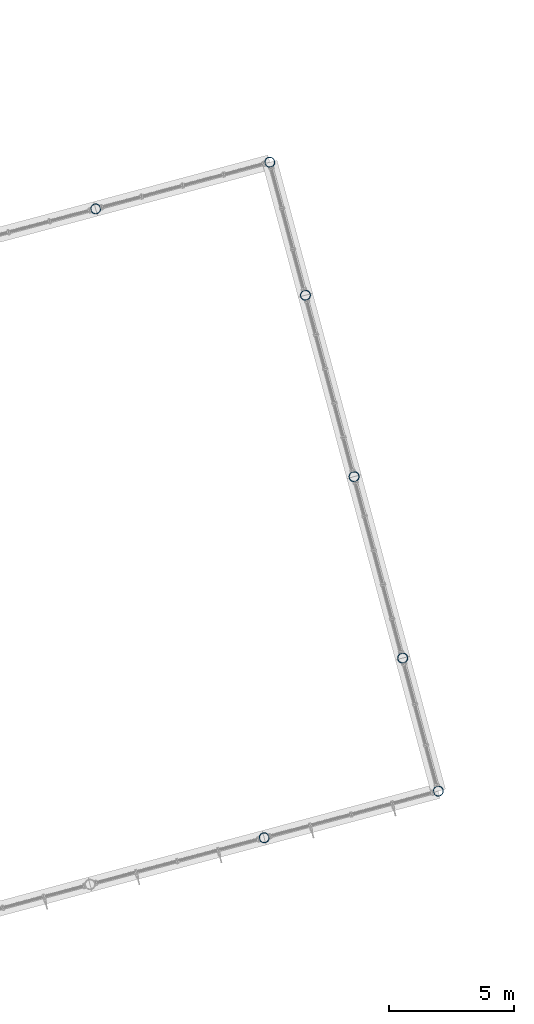
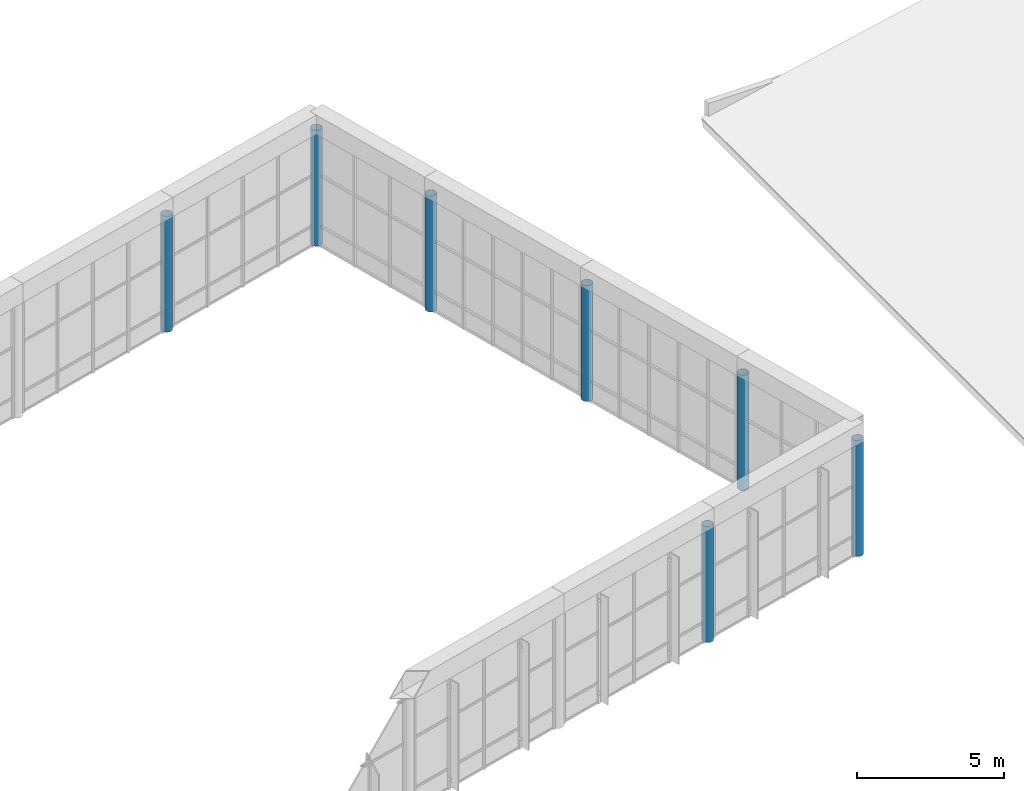
# One storey, part 6 of 55: 7 columns.
"""IFC4 building model written with IfcOpenShell, lengths in metres."""

from ifc_helpers import new_model, si_unit, direction, frame, origin, origin_2d, place, context, subcontext, project, spatial, hollow_circle, extrude, material, material_profile, profile_set, type_object, element, save


model = new_model("IFC4")

# Units and contexts
model_context = context("Model", 3, precision=1e-05, world=origin(), true_north=direction((0.0, 1.0)))
body_context = subcontext(model_context, "Body", "Model", "MODEL_VIEW")
ifc_project = project(units=[si_unit("LENGTHUNIT", "METRE"), si_unit("AREAUNIT", "SQUARE_METRE"), si_unit("VOLUMEUNIT", "CUBIC_METRE"), si_unit("PLANEANGLEUNIT", "RADIAN"), si_unit("MASSUNIT", "GRAM", prefix="KILO")], contexts=[model_context])

# Site, building, storey
site_placement = place(None, origin())
site = spatial("IfcSite", under=ifc_project, at=site_placement, CompositionType="ELEMENT")
building_placement = place(site_placement, origin())
building = spatial("IfcBuilding", under=site, at=building_placement, Name="Ventoquebrada Cableway Terminal", CompositionType="ELEMENT")
storey_placement = place(building_placement, frame((0.0, 0.0, 14.39990234375)))
storey = spatial("IfcBuildingStorey", under=building, at=storey_placement, Name="L03", CompositionType="ELEMENT", Elevation=14.39990234375)

# Columns
ifc_material = material(Name="Steel ASTM A500 Grade C", Category="steel")
ifc_material_profile = material_profile(ifc_material, hollow_circle(Radius=0.203125, WallThickness=0.01611328125, at=origin_2d()), Name="CHS406.4X16")
ifc_profile_set = profile_set([ifc_material_profile], Name="Steel ASTM A500 Grade C")
column_type = type_object("IfcColumnType", Name="COL-ST06", PredefinedType="COLUMN", material=ifc_profile_set)
for number, where, z_axis, x_axis, name in (
    (1, (79.797119140625, 77.238037109375, 0.0), (0.0, 0.0, 1.0), (0.965925826289, 0.258819045103, 0.0), "Structural column FC-0738"),
    (2, (73.06689453125, 102.35205078125, 0.0), (0.0, 0.0, 1.0), (0.965925826289, 0.258819045103, 0.0), "Structural column FC-0752"),
    (3, (86.7509765625, 79.10205078125, 0.0), (0.0, 0.0, 1.0), (0.965925826289, 0.258819045103, 0.0), "Structural column FC-0757"),
    (4, (85.327880859375, 84.4140625, 0.0), (0.0, 0.0, 1.0), (0.965925826289, 0.258819045103, 0.0), "Structural column FC-0762"),
    (5, (83.386962890625, 91.658935546875, 0.0), (0.0, 0.0, 1.0), (0.965925826289, 0.258819045103, 0.0), "Structural column FC-0767"),
    (6, (81.446044921875, 98.903076171875, 0.0), (0.0, 0.0, 1.0), (0.965925826289, 0.258819045103, 0.0), "Structural column FC-0772"),
    (7, (80.02197265625, 104.216064453125, 0.0), (0.0, 0.0, 1.0), (0.965925826289, 0.258819045103, 0.0), "Structural column FC-0777"),
):
    element("IfcColumn", number, at=place(storey_placement, frame(where, z_axis=z_axis, x_axis=x_axis)), inside=storey, type_object=column_type, Name=name, PredefinedType="COLUMN", context=body_context, shape_type="SweptSolid", body=[
        extrude(hollow_circle(Radius=0.203125, WallThickness=0.01611328125, at=origin_2d()), origin(), (0.0, 0.0, 1.0), 4.800048828125),
    ])

save(model, "model.ifc")
